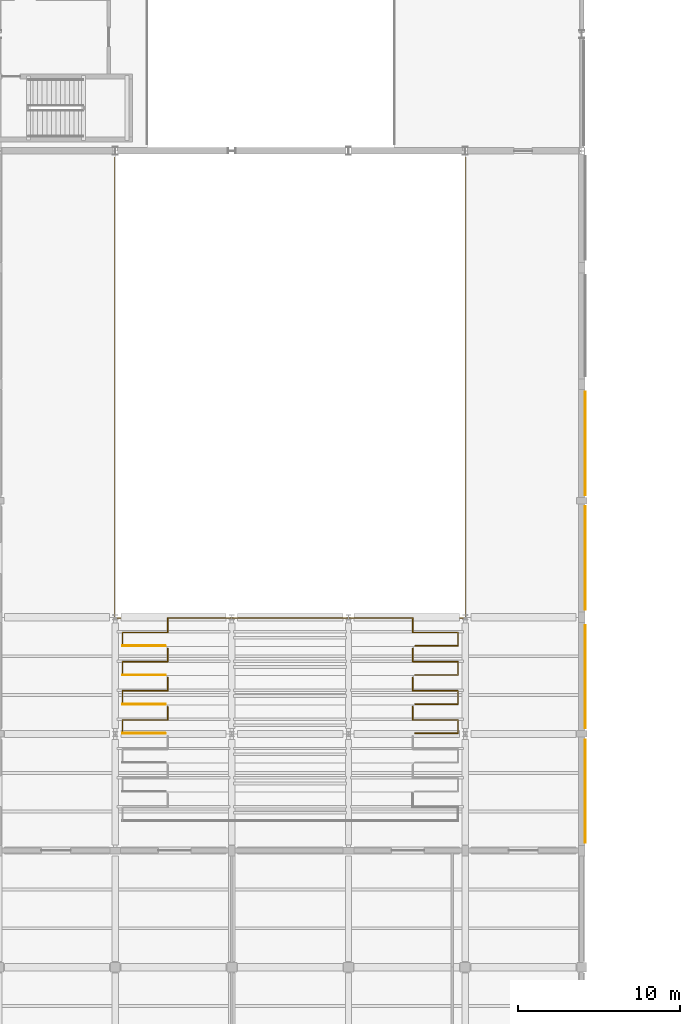
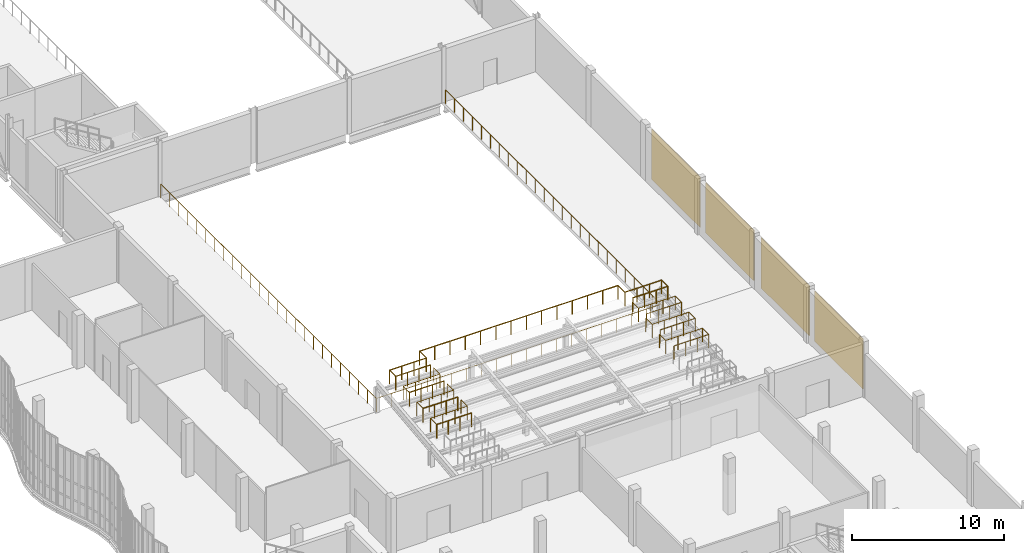
# One storey, part 100 of 105: 12 railings, 4 coverings.
"""IFC4 building model written with IfcOpenShell, lengths in metres."""

from ifc_helpers import new_model, si_unit, direction, frame, origin, origin_2d, place, context, subcontext, project, spatial, rectangle, circle, extrude, material, layer, layer_set, type_object, element, save


model = new_model("IFC4")

# Units and contexts
model_context = context("Model", 3, precision=1e-05, world=origin(), true_north=direction((0.0, 1.0)))
body_context = subcontext(model_context, "Body", "Model", "MODEL_VIEW")
ifc_project = project(units=[si_unit("LENGTHUNIT", "METRE"), si_unit("AREAUNIT", "SQUARE_METRE"), si_unit("VOLUMEUNIT", "CUBIC_METRE"), si_unit("PLANEANGLEUNIT", "RADIAN"), si_unit("MASSUNIT", "GRAM", prefix="KILO"), si_unit("THERMODYNAMICTEMPERATUREUNIT", "KELVIN"), si_unit("POWERUNIT", "WATT")], contexts=[model_context])

# Site, building, storey
site_placement = place(None, origin())
site = spatial("IfcSite", under=ifc_project, at=site_placement, CompositionType="ELEMENT")
building_placement = place(site_placement, origin())
building = spatial("IfcBuilding", under=site, at=building_placement, Name="Kaldorven Railside Theatre", CompositionType="ELEMENT")
storey_placement = place(building_placement, frame((0.0, 0.0, 9.89990234375)))
storey = spatial("IfcBuildingStorey", under=building, at=storey_placement, Name="L02", CompositionType="ELEMENT", Elevation=9.89990234375)

# Coverings
ifc_material_1 = material(Name="Bush-hammered precast concrete C40/50", Category="concrete")
ifc_layer = layer(ifc_material_1, 0.050048828125, Name="Bush-hammered precast concrete C40/50")
ifc_layer_set = layer_set([ifc_layer], Name="Bush-hammered precast concrete C40/50")
covering_type = type_object("IfcCoveringType", Name="COV-CLD-01", PredefinedType="CLADDING", material=ifc_layer_set)
for number, where, z_axis, x_axis, name in (
    (1, (123.410888671875, 65.9375, 0.10009765625), (0.0, 0.0, 1.0), (0.0, -1.0, 0.0), "Bush-Hammered Laterite Rainscreen Panel CLD-015"),
    (2, (123.410888671875, 58.862548828125, 0.10009765625), (0.0, 0.0, 1.0), (0.0, -1.0, 0.0), "Bush-Hammered Laterite Rainscreen Panel CLD-016"),
    (3, (123.410888671875, 51.53759765625, 0.10009765625), (0.0, 0.0, 1.0), (0.0, -1.0, 0.0), "Bush-Hammered Laterite Rainscreen Panel CLD-017"),
    (4, (123.410888671875, 44.46240234375, 0.10009765625), (0.0, 0.0, 1.0), (0.0, -1.0, 0.0), "Bush-Hammered Laterite Rainscreen Panel CLD-018"),
):
    element("IfcCovering", number, at=place(storey_placement, frame(where, z_axis=z_axis, x_axis=x_axis)), inside=storey, type_object=covering_type, Name=name, PredefinedType="CLADDING", context=body_context, shape_type="SweptSolid", body=[
        extrude(rectangle(XDim=6.375, YDim=0.050048828125, at=origin_2d()), origin(), (0.0, 0.0, 1.0), 4.050048828125),
    ])

# Railings
ifc_material_2 = material(Name="Anodised bronze aluminium", Category="aluminium")
railing_type = type_object("IfcRailingType", Name="RLG-BAL-1100", PredefinedType="BALUSTRADE", material=ifc_material_2)
railing_1_placement = place(storey_placement, frame((94.360107421875, 83.59521484375, 0.0)))
element("IfcRailing", 5, at=railing_1_placement, inside=storey, type_object=railing_type, Name="L02 Safety Balustrade GR-098", PredefinedType="BALUSTRADE", context=body_context, shape_type="SweptSolid", body=[
    extrude(circle(Radius=0.02392578125, at=origin_2d()), frame((0.0, 0.0, 1.09619140625), z_axis=(0.0, -1.0, 0.0), x_axis=(1.0, 0.0, 0.0)), (0.0, 0.0, 1.0), 28.435302734375),
    extrude(circle(Radius=0.02392578125, at=origin_2d()), frame((0.0, -28.435302734375, 1.09619140625), z_axis=(1.0, 0.0, 0.0), x_axis=(0.0, 1.0, 0.0)), (0.0, 0.0, 1.0), 21.679931640625),
    extrude(circle(Radius=0.02392578125, at=origin_2d()), frame((21.679931640625, -28.435302734375, 1.09619140625), z_axis=(0.0, 1.0, 0.0), x_axis=(-1.0, 0.0, 0.0)), (0.0, 0.0, 1.0), 28.435302734375),
    extrude(circle(Radius=0.02099609375, at=origin_2d()), origin(), (0.0, 0.0, 1.0), 1.072021484375),
    extrude(circle(Radius=0.02099609375, at=origin_2d()), frame((0.0, -1.184814453125, 0.0)), (0.0, 0.0, 1.0), 1.072021484375),
    extrude(circle(Radius=0.02099609375, at=origin_2d()), frame((0.0, -2.36962890625, 0.0)), (0.0, 0.0, 1.0), 1.072021484375),
    extrude(circle(Radius=0.02099609375, at=origin_2d()), frame((0.0, -3.554443359375, 0.0)), (0.0, 0.0, 1.0), 1.072021484375),
    extrude(circle(Radius=0.02099609375, at=origin_2d()), frame((0.0, -4.7392578125, 0.0)), (0.0, 0.0, 1.0), 1.072021484375),
    extrude(circle(Radius=0.02099609375, at=origin_2d()), frame((0.0, -5.924072265625, 0.0)), (0.0, 0.0, 1.0), 1.072021484375),
    extrude(circle(Radius=0.02099609375, at=origin_2d()), frame((0.0, -7.10888671875, 0.0)), (0.0, 0.0, 1.0), 1.072021484375),
    extrude(circle(Radius=0.02099609375, at=origin_2d()), frame((0.0, -8.293701171875, 0.0)), (0.0, 0.0, 1.0), 1.072021484375),
    extrude(circle(Radius=0.02099609375, at=origin_2d()), frame((0.0, -9.478515625, 0.0)), (0.0, 0.0, 1.0), 1.072021484375),
    extrude(circle(Radius=0.02099609375, at=origin_2d()), frame((0.0, -10.663330078125, 0.0)), (0.0, 0.0, 1.0), 1.072021484375),
    extrude(circle(Radius=0.02099609375, at=origin_2d()), frame((0.0, -11.84814453125, 0.0)), (0.0, 0.0, 1.0), 1.072021484375),
    extrude(circle(Radius=0.02099609375, at=origin_2d()), frame((0.0, -13.032958984375, 0.0)), (0.0, 0.0, 1.0), 1.072021484375),
    extrude(circle(Radius=0.02099609375, at=origin_2d()), frame((0.0, -14.2177734375, 0.0)), (0.0, 0.0, 1.0), 1.072021484375),
    extrude(circle(Radius=0.02099609375, at=origin_2d()), frame((0.0, -15.40234375, 0.0)), (0.0, 0.0, 1.0), 1.072021484375),
    extrude(circle(Radius=0.02099609375, at=origin_2d()), frame((0.0, -16.587158203125, 0.0)), (0.0, 0.0, 1.0), 1.072021484375),
    extrude(circle(Radius=0.02099609375, at=origin_2d()), frame((0.0, -17.77197265625, 0.0)), (0.0, 0.0, 1.0), 1.072021484375),
    extrude(circle(Radius=0.02099609375, at=origin_2d()), frame((0.0, -18.956787109375, 0.0)), (0.0, 0.0, 1.0), 1.072021484375),
    extrude(circle(Radius=0.02099609375, at=origin_2d()), frame((0.0, -20.1416015625, 0.0)), (0.0, 0.0, 1.0), 1.072021484375),
    extrude(circle(Radius=0.02099609375, at=origin_2d()), frame((0.0, -21.326416015625, 0.0)), (0.0, 0.0, 1.0), 1.072021484375),
    extrude(circle(Radius=0.02099609375, at=origin_2d()), frame((0.0, -22.51123046875, 0.0)), (0.0, 0.0, 1.0), 1.072021484375),
    extrude(circle(Radius=0.02099609375, at=origin_2d()), frame((0.0, -23.696044921875, 0.0)), (0.0, 0.0, 1.0), 1.072021484375),
    extrude(circle(Radius=0.02099609375, at=origin_2d()), frame((0.0, -24.880859375, 0.0)), (0.0, 0.0, 1.0), 1.072021484375),
    extrude(circle(Radius=0.02099609375, at=origin_2d()), frame((0.0, -26.065673828125, 0.0)), (0.0, 0.0, 1.0), 1.072021484375),
    extrude(circle(Radius=0.02099609375, at=origin_2d()), frame((0.0, -27.25048828125, 0.0)), (0.0, 0.0, 1.0), 1.072021484375),
    extrude(circle(Radius=0.02099609375, at=origin_2d()), frame((0.0, -28.435302734375, 0.0)), (0.0, 0.0, 1.0), 1.072021484375),
    extrude(circle(Radius=0.02099609375, at=origin_2d()), frame((1.14111328125, -28.435302734375, 0.0)), (0.0, 0.0, 1.0), 1.072021484375),
    extrude(circle(Radius=0.02099609375, at=origin_2d()), frame((2.281982421875, -28.435302734375, 0.0)), (0.0, 0.0, 1.0), 1.072021484375),
    extrude(circle(Radius=0.02099609375, at=origin_2d()), frame((3.423095703125, -28.435302734375, 0.0)), (0.0, 0.0, 1.0), 1.072021484375),
    extrude(circle(Radius=0.02099609375, at=origin_2d()), frame((4.564208984375, -28.435302734375, 0.0)), (0.0, 0.0, 1.0), 1.072021484375),
    extrude(circle(Radius=0.02099609375, at=origin_2d()), frame((5.705322265625, -28.435302734375, 0.0)), (0.0, 0.0, 1.0), 1.072021484375),
    extrude(circle(Radius=0.02099609375, at=origin_2d()), frame((6.84619140625, -28.435302734375, 0.0)), (0.0, 0.0, 1.0), 1.072021484375),
    extrude(circle(Radius=0.02099609375, at=origin_2d()), frame((7.9873046875, -28.435302734375, 0.0)), (0.0, 0.0, 1.0), 1.072021484375),
    extrude(circle(Radius=0.02099609375, at=origin_2d()), frame((9.12841796875, -28.435302734375, 0.0)), (0.0, 0.0, 1.0), 1.072021484375),
    extrude(circle(Radius=0.02099609375, at=origin_2d()), frame((10.26953125, -28.435302734375, 0.0)), (0.0, 0.0, 1.0), 1.072021484375),
    extrude(circle(Radius=0.02099609375, at=origin_2d()), frame((11.410400390625, -28.435302734375, 0.0)), (0.0, 0.0, 1.0), 1.072021484375),
    extrude(circle(Radius=0.02099609375, at=origin_2d()), frame((12.551513671875, -28.435302734375, 0.0)), (0.0, 0.0, 1.0), 1.072021484375),
    extrude(circle(Radius=0.02099609375, at=origin_2d()), frame((13.692626953125, -28.435302734375, 0.0)), (0.0, 0.0, 1.0), 1.072021484375),
    extrude(circle(Radius=0.02099609375, at=origin_2d()), frame((14.833740234375, -28.435302734375, 0.0)), (0.0, 0.0, 1.0), 1.072021484375),
    extrude(circle(Radius=0.02099609375, at=origin_2d()), frame((15.974609375, -28.435302734375, 0.0)), (0.0, 0.0, 1.0), 1.072021484375),
    extrude(circle(Radius=0.02099609375, at=origin_2d()), frame((17.11572265625, -28.435302734375, 0.0)), (0.0, 0.0, 1.0), 1.072021484375),
    extrude(circle(Radius=0.02099609375, at=origin_2d()), frame((18.2568359375, -28.435302734375, 0.0)), (0.0, 0.0, 1.0), 1.072021484375),
    extrude(circle(Radius=0.02099609375, at=origin_2d()), frame((19.39794921875, -28.435302734375, 0.0)), (0.0, 0.0, 1.0), 1.072021484375),
    extrude(circle(Radius=0.02099609375, at=origin_2d()), frame((20.538818359375, -28.435302734375, 0.0)), (0.0, 0.0, 1.0), 1.072021484375),
    extrude(circle(Radius=0.02099609375, at=origin_2d()), frame((21.679931640625, -28.435302734375, 0.0)), (0.0, 0.0, 1.0), 1.072021484375),
    extrude(circle(Radius=0.02099609375, at=origin_2d()), frame((21.679931640625, -27.25048828125, 0.0)), (0.0, 0.0, 1.0), 1.072021484375),
    extrude(circle(Radius=0.02099609375, at=origin_2d()), frame((21.679931640625, -26.065673828125, 0.0)), (0.0, 0.0, 1.0), 1.072021484375),
    extrude(circle(Radius=0.02099609375, at=origin_2d()), frame((21.679931640625, -24.880859375, 0.0)), (0.0, 0.0, 1.0), 1.072021484375),
    extrude(circle(Radius=0.02099609375, at=origin_2d()), frame((21.679931640625, -23.696044921875, 0.0)), (0.0, 0.0, 1.0), 1.072021484375),
    extrude(circle(Radius=0.02099609375, at=origin_2d()), frame((21.679931640625, -22.51123046875, 0.0)), (0.0, 0.0, 1.0), 1.072021484375),
    extrude(circle(Radius=0.02099609375, at=origin_2d()), frame((21.679931640625, -21.326416015625, 0.0)), (0.0, 0.0, 1.0), 1.072021484375),
    extrude(circle(Radius=0.02099609375, at=origin_2d()), frame((21.679931640625, -20.1416015625, 0.0)), (0.0, 0.0, 1.0), 1.072021484375),
    extrude(circle(Radius=0.02099609375, at=origin_2d()), frame((21.679931640625, -18.956787109375, 0.0)), (0.0, 0.0, 1.0), 1.072021484375),
    extrude(circle(Radius=0.02099609375, at=origin_2d()), frame((21.679931640625, -17.77197265625, 0.0)), (0.0, 0.0, 1.0), 1.072021484375),
    extrude(circle(Radius=0.02099609375, at=origin_2d()), frame((21.679931640625, -16.587158203125, 0.0)), (0.0, 0.0, 1.0), 1.072021484375),
    extrude(circle(Radius=0.02099609375, at=origin_2d()), frame((21.679931640625, -15.40234375, 0.0)), (0.0, 0.0, 1.0), 1.072021484375),
    extrude(circle(Radius=0.02099609375, at=origin_2d()), frame((21.679931640625, -14.2177734375, 0.0)), (0.0, 0.0, 1.0), 1.072021484375),
    extrude(circle(Radius=0.02099609375, at=origin_2d()), frame((21.679931640625, -13.032958984375, 0.0)), (0.0, 0.0, 1.0), 1.072021484375),
    extrude(circle(Radius=0.02099609375, at=origin_2d()), frame((21.679931640625, -11.84814453125, 0.0)), (0.0, 0.0, 1.0), 1.072021484375),
    extrude(circle(Radius=0.02099609375, at=origin_2d()), frame((21.679931640625, -10.663330078125, 0.0)), (0.0, 0.0, 1.0), 1.072021484375),
    extrude(circle(Radius=0.02099609375, at=origin_2d()), frame((21.679931640625, -9.478515625, 0.0)), (0.0, 0.0, 1.0), 1.072021484375),
    extrude(circle(Radius=0.02099609375, at=origin_2d()), frame((21.679931640625, -8.293701171875, 0.0)), (0.0, 0.0, 1.0), 1.072021484375),
    extrude(circle(Radius=0.02099609375, at=origin_2d()), frame((21.679931640625, -7.10888671875, 0.0)), (0.0, 0.0, 1.0), 1.072021484375),
    extrude(circle(Radius=0.02099609375, at=origin_2d()), frame((21.679931640625, -5.924072265625, 0.0)), (0.0, 0.0, 1.0), 1.072021484375),
    extrude(circle(Radius=0.02099609375, at=origin_2d()), frame((21.679931640625, -4.7392578125, 0.0)), (0.0, 0.0, 1.0), 1.072021484375),
    extrude(circle(Radius=0.02099609375, at=origin_2d()), frame((21.679931640625, -3.554443359375, 0.0)), (0.0, 0.0, 1.0), 1.072021484375),
    extrude(circle(Radius=0.02099609375, at=origin_2d()), frame((21.679931640625, -2.36962890625, 0.0)), (0.0, 0.0, 1.0), 1.072021484375),
    extrude(circle(Radius=0.02099609375, at=origin_2d()), frame((21.679931640625, -1.184814453125, 0.0)), (0.0, 0.0, 1.0), 1.072021484375),
    extrude(circle(Radius=0.02099609375, at=origin_2d()), frame((21.679931640625, 0.0, 0.0)), (0.0, 0.0, 1.0), 1.072021484375),
])
railing_2_placement = place(storey_placement, frame((94.840087890625, 48.0400390625, 2.050048828125)))
element("IfcRailing", 6, at=railing_2_placement, inside=storey, type_object=railing_type, Name="L02 Auditorium Tier Safety Guard GR-111", PredefinedType="BALUSTRADE", context=body_context, shape_type="SweptSolid", body=[
    extrude(circle(Radius=0.02392578125, at=origin_2d()), frame((0.0, 0.0, 1.09619140625), z_axis=(0.0, 1.0, 0.0), x_axis=(-1.0, 0.0, 0.0)), (0.0, 0.0, 1.0), 0.820068359375),
    extrude(circle(Radius=0.02392578125, at=origin_2d()), frame((0.0, 0.820068359375, 1.09619140625), z_axis=(1.0, 0.0, 0.0), x_axis=(0.0, 1.0, 0.0)), (0.0, 0.0, 1.0), 2.7998046875),
    extrude(circle(Radius=0.02392578125, at=origin_2d()), frame((2.7998046875, 0.820068359375, 1.09619140625), z_axis=(0.0, 1.0, 0.0), x_axis=(-1.0, 0.0, 0.0)), (0.0, 0.0, 1.0), 0.81982421875),
    extrude(circle(Radius=0.02099609375, at=origin_2d()), origin(), (0.0, 0.0, 1.0), 1.072021484375),
    extrude(circle(Radius=0.02099609375, at=origin_2d()), frame((0.0, 0.820068359375, 0.0)), (0.0, 0.0, 1.0), 1.072021484375),
    extrude(circle(Radius=0.02099609375, at=origin_2d()), frame((0.933349609375, 0.820068359375, 0.0)), (0.0, 0.0, 1.0), 1.072021484375),
    extrude(circle(Radius=0.02099609375, at=origin_2d()), frame((1.866455078125, 0.820068359375, 0.0)), (0.0, 0.0, 1.0), 1.072021484375),
    extrude(circle(Radius=0.02099609375, at=origin_2d()), frame((2.7998046875, 0.820068359375, 0.0)), (0.0, 0.0, 1.0), 1.072021484375),
    extrude(circle(Radius=0.02099609375, at=origin_2d()), frame((2.7998046875, 1.639892578125, 0.0)), (0.0, 0.0, 1.0), 1.072021484375),
])
railing_3_placement = place(storey_placement, frame((112.760009765625, 49.679931640625, 2.050048828125)))
element("IfcRailing", 7, at=railing_3_placement, inside=storey, type_object=railing_type, Name="L02 Auditorium Tier Safety Guard GR-112", PredefinedType="BALUSTRADE", context=body_context, shape_type="SweptSolid", body=[
    extrude(circle(Radius=0.02392578125, at=origin_2d()), frame((0.0, 0.0, 1.09619140625), z_axis=(0.0, -1.0, 0.0), x_axis=(1.0, 0.0, 0.0)), (0.0, 0.0, 1.0), 0.81982421875),
    extrude(circle(Radius=0.02392578125, at=origin_2d()), frame((0.0, -0.81982421875, 1.09619140625), z_axis=(1.0, 0.0, 0.0), x_axis=(0.0, 1.0, 0.0)), (0.0, 0.0, 1.0), 2.800048828125),
    extrude(circle(Radius=0.02392578125, at=origin_2d()), frame((2.800048828125, -0.81982421875, 1.09619140625), z_axis=(0.0, -1.0, 0.0), x_axis=(1.0, 0.0, 0.0)), (0.0, 0.0, 1.0), 0.820068359375),
    extrude(circle(Radius=0.02392578125, at=origin_2d()), frame((2.800048828125, -1.639892578125, 1.09619140625), z_axis=(-1.0, 0.0, 0.0), x_axis=(0.0, -1.0, 0.0)), (0.0, 0.0, 1.0), 2.64697265625),
    extrude(circle(Radius=0.02099609375, at=origin_2d()), origin(), (0.0, 0.0, 1.0), 1.072021484375),
    extrude(circle(Radius=0.02099609375, at=origin_2d()), frame((0.0, -0.81982421875, 0.0)), (0.0, 0.0, 1.0), 1.072021484375),
    extrude(circle(Radius=0.02099609375, at=origin_2d()), frame((0.933349609375, -0.81982421875, 0.0)), (0.0, 0.0, 1.0), 1.072021484375),
    extrude(circle(Radius=0.02099609375, at=origin_2d()), frame((1.86669921875, -0.81982421875, 0.0)), (0.0, 0.0, 1.0), 1.072021484375),
    extrude(circle(Radius=0.02099609375, at=origin_2d()), frame((2.800048828125, -0.81982421875, 0.0)), (0.0, 0.0, 1.0), 1.072021484375),
    extrude(circle(Radius=0.02099609375, at=origin_2d()), frame((2.800048828125, -1.639892578125, 0.0)), (0.0, 0.0, 1.0), 1.072021484375),
    extrude(circle(Radius=0.02099609375, at=origin_2d()), frame((1.917724609375, -1.639892578125, 0.0)), (0.0, 0.0, 1.0), 1.072021484375),
    extrude(circle(Radius=0.02099609375, at=origin_2d()), frame((1.035400390625, -1.639892578125, 0.0)), (0.0, 0.0, 1.0), 1.072021484375),
    extrude(circle(Radius=0.02099609375, at=origin_2d()), frame((0.153076171875, -1.639892578125, 0.0)), (0.0, 0.0, 1.0), 1.072021484375),
])
railing_4_placement = place(storey_placement, frame((97.487060546875, 48.0400390625, 2.050048828125)))
element("IfcRailing", 8, at=railing_4_placement, inside=storey, type_object=railing_type, Name="L02 Auditorium Tier Safety Guard GR-113", PredefinedType="BALUSTRADE", context=body_context, shape_type="SweptSolid", body=[
    extrude(circle(Radius=0.02392578125, at=origin_2d()), frame((0.0, 0.0, 1.09619140625), z_axis=(-1.0, 0.0, 0.0), x_axis=(0.0, -1.0, 0.0)), (0.0, 0.0, 1.0), 2.64697265625),
    extrude(circle(Radius=0.02099609375, at=origin_2d()), origin(), (0.0, 0.0, 1.0), 1.072021484375),
    extrude(circle(Radius=0.02099609375, at=origin_2d()), frame((-0.88232421875, 0.0, 0.0)), (0.0, 0.0, 1.0), 1.072021484375),
    extrude(circle(Radius=0.02099609375, at=origin_2d()), frame((-1.7646484375, 0.0, 0.0)), (0.0, 0.0, 1.0), 1.072021484375),
    extrude(circle(Radius=0.02099609375, at=origin_2d()), frame((-2.64697265625, 0.0, 0.0)), (0.0, 0.0, 1.0), 1.072021484375),
])
railing_5_placement = place(storey_placement, frame((94.840087890625, 49.840087890625, 2.25)))
element("IfcRailing", 9, at=railing_5_placement, inside=storey, type_object=railing_type, Name="L02 Auditorium Tier Safety Guard GR-114", PredefinedType="BALUSTRADE", context=body_context, shape_type="SweptSolid", body=[
    extrude(circle(Radius=0.02392578125, at=origin_2d()), frame((0.0, 0.0, 1.09619140625), z_axis=(0.0, 1.0, 0.0), x_axis=(-1.0, 0.0, 0.0)), (0.0, 0.0, 1.0), 0.81982421875),
    extrude(circle(Radius=0.02392578125, at=origin_2d()), frame((0.0, 0.81982421875, 1.09619140625), z_axis=(1.0, 0.0, 0.0), x_axis=(0.0, 1.0, 0.0)), (0.0, 0.0, 1.0), 2.7998046875),
    extrude(circle(Radius=0.02392578125, at=origin_2d()), frame((2.7998046875, 0.81982421875, 1.09619140625), z_axis=(0.0, 1.0, 0.0), x_axis=(-1.0, 0.0, 0.0)), (0.0, 0.0, 1.0), 0.820068359375),
    extrude(circle(Radius=0.02099609375, at=origin_2d()), origin(), (0.0, 0.0, 1.0), 1.072021484375),
    extrude(circle(Radius=0.02099609375, at=origin_2d()), frame((0.0, 0.81982421875, 0.0)), (0.0, 0.0, 1.0), 1.072021484375),
    extrude(circle(Radius=0.02099609375, at=origin_2d()), frame((0.933349609375, 0.81982421875, 0.0)), (0.0, 0.0, 1.0), 1.072021484375),
    extrude(circle(Radius=0.02099609375, at=origin_2d()), frame((1.866455078125, 0.81982421875, 0.0)), (0.0, 0.0, 1.0), 1.072021484375),
    extrude(circle(Radius=0.02099609375, at=origin_2d()), frame((2.7998046875, 0.81982421875, 0.0)), (0.0, 0.0, 1.0), 1.072021484375),
    extrude(circle(Radius=0.02099609375, at=origin_2d()), frame((2.7998046875, 1.639892578125, 0.0)), (0.0, 0.0, 1.0), 1.072021484375),
])
railing_6_placement = place(storey_placement, frame((112.760009765625, 51.47998046875, 2.25)))
element("IfcRailing", 10, at=railing_6_placement, inside=storey, type_object=railing_type, Name="L02 Auditorium Tier Safety Guard GR-115", PredefinedType="BALUSTRADE", context=body_context, shape_type="SweptSolid", body=[
    extrude(circle(Radius=0.02392578125, at=origin_2d()), frame((0.0, 0.0, 1.09619140625), z_axis=(0.0, -1.0, 0.0), x_axis=(1.0, 0.0, 0.0)), (0.0, 0.0, 1.0), 0.820068359375),
    extrude(circle(Radius=0.02392578125, at=origin_2d()), frame((0.0, -0.820068359375, 1.09619140625), z_axis=(1.0, 0.0, 0.0), x_axis=(0.0, 1.0, 0.0)), (0.0, 0.0, 1.0), 2.800048828125),
    extrude(circle(Radius=0.02392578125, at=origin_2d()), frame((2.800048828125, -0.820068359375, 1.09619140625), z_axis=(0.0, -1.0, 0.0), x_axis=(1.0, 0.0, 0.0)), (0.0, 0.0, 1.0), 0.81982421875),
    extrude(circle(Radius=0.02392578125, at=origin_2d()), frame((2.800048828125, -1.639892578125, 1.09619140625), z_axis=(-1.0, 0.0, 0.0), x_axis=(0.0, -1.0, 0.0)), (0.0, 0.0, 1.0), 2.64697265625),
    extrude(circle(Radius=0.02099609375, at=origin_2d()), origin(), (0.0, 0.0, 1.0), 1.072021484375),
    extrude(circle(Radius=0.02099609375, at=origin_2d()), frame((0.0, -0.820068359375, 0.0)), (0.0, 0.0, 1.0), 1.072021484375),
    extrude(circle(Radius=0.02099609375, at=origin_2d()), frame((0.933349609375, -0.820068359375, 0.0)), (0.0, 0.0, 1.0), 1.072021484375),
    extrude(circle(Radius=0.02099609375, at=origin_2d()), frame((1.86669921875, -0.820068359375, 0.0)), (0.0, 0.0, 1.0), 1.072021484375),
    extrude(circle(Radius=0.02099609375, at=origin_2d()), frame((2.800048828125, -0.820068359375, 0.0)), (0.0, 0.0, 1.0), 1.072021484375),
    extrude(circle(Radius=0.02099609375, at=origin_2d()), frame((2.800048828125, -1.639892578125, 0.0)), (0.0, 0.0, 1.0), 1.072021484375),
    extrude(circle(Radius=0.02099609375, at=origin_2d()), frame((1.917724609375, -1.639892578125, 0.0)), (0.0, 0.0, 1.0), 1.072021484375),
    extrude(circle(Radius=0.02099609375, at=origin_2d()), frame((1.035400390625, -1.639892578125, 0.0)), (0.0, 0.0, 1.0), 1.072021484375),
    extrude(circle(Radius=0.02099609375, at=origin_2d()), frame((0.153076171875, -1.639892578125, 0.0)), (0.0, 0.0, 1.0), 1.072021484375),
])
railing_7_placement = place(storey_placement, frame((97.487060546875, 49.840087890625, 2.25)))
element("IfcRailing", 11, at=railing_7_placement, inside=storey, type_object=railing_type, Name="L02 Auditorium Tier Safety Guard GR-116", PredefinedType="BALUSTRADE", context=body_context, shape_type="SweptSolid", body=[
    extrude(circle(Radius=0.02392578125, at=origin_2d()), frame((0.0, 0.0, 1.09619140625), z_axis=(-1.0, 0.0, 0.0), x_axis=(0.0, -1.0, 0.0)), (0.0, 0.0, 1.0), 2.64697265625),
    extrude(circle(Radius=0.02099609375, at=origin_2d()), origin(), (0.0, 0.0, 1.0), 1.072021484375),
    extrude(circle(Radius=0.02099609375, at=origin_2d()), frame((-0.88232421875, 0.0, 0.0)), (0.0, 0.0, 1.0), 1.072021484375),
    extrude(circle(Radius=0.02099609375, at=origin_2d()), frame((-1.7646484375, 0.0, 0.0)), (0.0, 0.0, 1.0), 1.072021484375),
    extrude(circle(Radius=0.02099609375, at=origin_2d()), frame((-2.64697265625, 0.0, 0.0)), (0.0, 0.0, 1.0), 1.072021484375),
])
railing_8_placement = place(storey_placement, frame((94.840087890625, 51.639892578125, 2.4501953125)))
element("IfcRailing", 12, at=railing_8_placement, inside=storey, type_object=railing_type, Name="L02 Auditorium Tier Safety Guard GR-117", PredefinedType="BALUSTRADE", context=body_context, shape_type="SweptSolid", body=[
    extrude(circle(Radius=0.02392578125, at=origin_2d()), frame((0.0, 0.0, 1.09619140625), z_axis=(0.0, 1.0, 0.0), x_axis=(-1.0, 0.0, 0.0)), (0.0, 0.0, 1.0), 0.820068359375),
    extrude(circle(Radius=0.02392578125, at=origin_2d()), frame((0.0, 0.820068359375, 1.09619140625), z_axis=(1.0, 0.0, 0.0), x_axis=(0.0, 1.0, 0.0)), (0.0, 0.0, 1.0), 2.7998046875),
    extrude(circle(Radius=0.02392578125, at=origin_2d()), frame((2.7998046875, 0.820068359375, 1.09619140625), z_axis=(0.0, 1.0, 0.0), x_axis=(-1.0, 0.0, 0.0)), (0.0, 0.0, 1.0), 0.820068359375),
    extrude(circle(Radius=0.02099609375, at=origin_2d()), origin(), (0.0, 0.0, 1.0), 1.072021484375),
    extrude(circle(Radius=0.02099609375, at=origin_2d()), frame((0.0, 0.820068359375, 0.0)), (0.0, 0.0, 1.0), 1.072021484375),
    extrude(circle(Radius=0.02099609375, at=origin_2d()), frame((0.933349609375, 0.820068359375, 0.0)), (0.0, 0.0, 1.0), 1.072021484375),
    extrude(circle(Radius=0.02099609375, at=origin_2d()), frame((1.866455078125, 0.820068359375, 0.0)), (0.0, 0.0, 1.0), 1.072021484375),
    extrude(circle(Radius=0.02099609375, at=origin_2d()), frame((2.7998046875, 0.820068359375, 0.0)), (0.0, 0.0, 1.0), 1.072021484375),
    extrude(circle(Radius=0.02099609375, at=origin_2d()), frame((2.7998046875, 1.64013671875, 0.0)), (0.0, 0.0, 1.0), 1.072021484375),
])
railing_9_placement = place(storey_placement, frame((112.760009765625, 53.280029296875, 2.4501953125)))
element("IfcRailing", 13, at=railing_9_placement, inside=storey, type_object=railing_type, Name="L02 Auditorium Tier Safety Guard GR-118", PredefinedType="BALUSTRADE", context=body_context, shape_type="SweptSolid", body=[
    extrude(circle(Radius=0.02392578125, at=origin_2d()), frame((0.0, 0.0, 1.09619140625), z_axis=(0.0, -1.0, 0.0), x_axis=(1.0, 0.0, 0.0)), (0.0, 0.0, 1.0), 0.820068359375),
    extrude(circle(Radius=0.02392578125, at=origin_2d()), frame((0.0, -0.820068359375, 1.09619140625), z_axis=(1.0, 0.0, 0.0), x_axis=(0.0, 1.0, 0.0)), (0.0, 0.0, 1.0), 2.800048828125),
    extrude(circle(Radius=0.02392578125, at=origin_2d()), frame((2.800048828125, -0.820068359375, 1.09619140625), z_axis=(0.0, -1.0, 0.0), x_axis=(1.0, 0.0, 0.0)), (0.0, 0.0, 1.0), 0.820068359375),
    extrude(circle(Radius=0.02392578125, at=origin_2d()), frame((2.800048828125, -1.64013671875, 1.09619140625), z_axis=(-1.0, 0.0, 0.0), x_axis=(0.0, -1.0, 0.0)), (0.0, 0.0, 1.0), 2.64697265625),
    extrude(circle(Radius=0.02099609375, at=origin_2d()), origin(), (0.0, 0.0, 1.0), 1.072021484375),
    extrude(circle(Radius=0.02099609375, at=origin_2d()), frame((0.0, -0.820068359375, 0.0)), (0.0, 0.0, 1.0), 1.072021484375),
    extrude(circle(Radius=0.02099609375, at=origin_2d()), frame((0.933349609375, -0.820068359375, 0.0)), (0.0, 0.0, 1.0), 1.072021484375),
    extrude(circle(Radius=0.02099609375, at=origin_2d()), frame((1.86669921875, -0.820068359375, 0.0)), (0.0, 0.0, 1.0), 1.072021484375),
    extrude(circle(Radius=0.02099609375, at=origin_2d()), frame((2.800048828125, -0.820068359375, 0.0)), (0.0, 0.0, 1.0), 1.072021484375),
    extrude(circle(Radius=0.02099609375, at=origin_2d()), frame((2.800048828125, -1.64013671875, 0.0)), (0.0, 0.0, 1.0), 1.072021484375),
    extrude(circle(Radius=0.02099609375, at=origin_2d()), frame((1.917724609375, -1.64013671875, 0.0)), (0.0, 0.0, 1.0), 1.072021484375),
    extrude(circle(Radius=0.02099609375, at=origin_2d()), frame((1.035400390625, -1.64013671875, 0.0)), (0.0, 0.0, 1.0), 1.072021484375),
    extrude(circle(Radius=0.02099609375, at=origin_2d()), frame((0.153076171875, -1.64013671875, 0.0)), (0.0, 0.0, 1.0), 1.072021484375),
])
railing_10_placement = place(storey_placement, frame((97.487060546875, 51.639892578125, 2.4501953125)))
element("IfcRailing", 14, at=railing_10_placement, inside=storey, type_object=railing_type, Name="L02 Auditorium Tier Safety Guard GR-119", PredefinedType="BALUSTRADE", context=body_context, shape_type="SweptSolid", body=[
    extrude(circle(Radius=0.02392578125, at=origin_2d()), frame((0.0, 0.0, 1.09619140625), z_axis=(-1.0, 0.0, 0.0), x_axis=(0.0, -1.0, 0.0)), (0.0, 0.0, 1.0), 2.64697265625),
    extrude(circle(Radius=0.02099609375, at=origin_2d()), origin(), (0.0, 0.0, 1.0), 1.072021484375),
    extrude(circle(Radius=0.02099609375, at=origin_2d()), frame((-0.88232421875, 0.0, 0.0)), (0.0, 0.0, 1.0), 1.072021484375),
    extrude(circle(Radius=0.02099609375, at=origin_2d()), frame((-1.7646484375, 0.0, 0.0)), (0.0, 0.0, 1.0), 1.072021484375),
    extrude(circle(Radius=0.02099609375, at=origin_2d()), frame((-2.64697265625, 0.0, 0.0)), (0.0, 0.0, 1.0), 1.072021484375),
])
railing_11_placement = place(storey_placement, frame((94.840087890625, 53.43994140625, 2.650146484375)))
element("IfcRailing", 15, at=railing_11_placement, inside=storey, type_object=railing_type, Name="L02 Auditorium Tier Safety Guard GR-120", PredefinedType="BALUSTRADE", context=body_context, shape_type="SweptSolid", body=[
    extrude(circle(Radius=0.02392578125, at=origin_2d()), frame((0.0, 0.0, 1.09619140625), z_axis=(0.0, 1.0, 0.0), x_axis=(-1.0, 0.0, 0.0)), (0.0, 0.0, 1.0), 0.820068359375),
    extrude(circle(Radius=0.02392578125, at=origin_2d()), frame((0.0, 0.820068359375, 1.09619140625), z_axis=(1.0, 0.0, 0.0), x_axis=(0.0, 1.0, 0.0)), (0.0, 0.0, 1.0), 2.7998046875),
    extrude(circle(Radius=0.02392578125, at=origin_2d()), frame((2.7998046875, 0.820068359375, 1.09619140625), z_axis=(0.0, 1.0, 0.0), x_axis=(-1.0, 0.0, 0.0)), (0.0, 0.0, 1.0), 0.89990234375),
    extrude(circle(Radius=0.02392578125, at=origin_2d()), frame((2.7998046875, 1.719970703125, 1.09619140625), z_axis=(1.0, 0.0, 0.0), x_axis=(0.0, 1.0, 0.0)), (0.0, 0.0, 1.0), 15.1201171875),
    extrude(circle(Radius=0.02392578125, at=origin_2d()), frame((17.919921875, 1.719970703125, 1.09619140625), z_axis=(0.0, -1.0, 0.0), x_axis=(1.0, 0.0, 0.0)), (0.0, 0.0, 1.0), 0.89990234375),
    extrude(circle(Radius=0.02392578125, at=origin_2d()), frame((17.919921875, 0.820068359375, 1.09619140625), z_axis=(1.0, 0.0, 0.0), x_axis=(0.0, 1.0, 0.0)), (0.0, 0.0, 1.0), 2.800048828125),
    extrude(circle(Radius=0.02392578125, at=origin_2d()), frame((20.719970703125, 0.820068359375, 1.09619140625), z_axis=(0.0, -1.0, 0.0), x_axis=(1.0, 0.0, 0.0)), (0.0, 0.0, 1.0), 0.820068359375),
    extrude(circle(Radius=0.02392578125, at=origin_2d()), frame((20.719970703125, 0.0, 1.09619140625), z_axis=(-1.0, 0.0, 0.0), x_axis=(0.0, -1.0, 0.0)), (0.0, 0.0, 1.0), 2.64697265625),
    extrude(circle(Radius=0.02099609375, at=origin_2d()), origin(), (0.0, 0.0, 1.0), 1.072021484375),
    extrude(circle(Radius=0.02099609375, at=origin_2d()), frame((0.0, 0.820068359375, 0.0)), (0.0, 0.0, 1.0), 1.072021484375),
    extrude(circle(Radius=0.02099609375, at=origin_2d()), frame((0.933349609375, 0.820068359375, 0.0)), (0.0, 0.0, 1.0), 1.072021484375),
    extrude(circle(Radius=0.02099609375, at=origin_2d()), frame((1.866455078125, 0.820068359375, 0.0)), (0.0, 0.0, 1.0), 1.072021484375),
    extrude(circle(Radius=0.02099609375, at=origin_2d()), frame((2.7998046875, 0.820068359375, 0.0)), (0.0, 0.0, 1.0), 1.072021484375),
    extrude(circle(Radius=0.02099609375, at=origin_2d()), frame((2.7998046875, 1.719970703125, 0.0)), (0.0, 0.0, 1.0), 1.072021484375),
    extrude(circle(Radius=0.02099609375, at=origin_2d()), frame((3.962890625, 1.719970703125, 0.0)), (0.0, 0.0, 1.0), 1.072021484375),
    extrude(circle(Radius=0.02099609375, at=origin_2d()), frame((5.1259765625, 1.719970703125, 0.0)), (0.0, 0.0, 1.0), 1.072021484375),
    extrude(circle(Radius=0.02099609375, at=origin_2d()), frame((6.2890625, 1.719970703125, 0.0)), (0.0, 0.0, 1.0), 1.072021484375),
    extrude(circle(Radius=0.02099609375, at=origin_2d()), frame((7.4521484375, 1.719970703125, 0.0)), (0.0, 0.0, 1.0), 1.072021484375),
    extrude(circle(Radius=0.02099609375, at=origin_2d()), frame((8.615234375, 1.719970703125, 0.0)), (0.0, 0.0, 1.0), 1.072021484375),
    extrude(circle(Radius=0.02099609375, at=origin_2d()), frame((9.7783203125, 1.719970703125, 0.0)), (0.0, 0.0, 1.0), 1.072021484375),
    extrude(circle(Radius=0.02099609375, at=origin_2d()), frame((10.94140625, 1.719970703125, 0.0)), (0.0, 0.0, 1.0), 1.072021484375),
    extrude(circle(Radius=0.02099609375, at=origin_2d()), frame((12.1044921875, 1.719970703125, 0.0)), (0.0, 0.0, 1.0), 1.072021484375),
    extrude(circle(Radius=0.02099609375, at=origin_2d()), frame((13.267578125, 1.719970703125, 0.0)), (0.0, 0.0, 1.0), 1.072021484375),
    extrude(circle(Radius=0.02099609375, at=origin_2d()), frame((14.4306640625, 1.719970703125, 0.0)), (0.0, 0.0, 1.0), 1.072021484375),
    extrude(circle(Radius=0.02099609375, at=origin_2d()), frame((15.59375, 1.719970703125, 0.0)), (0.0, 0.0, 1.0), 1.072021484375),
    extrude(circle(Radius=0.02099609375, at=origin_2d()), frame((16.7568359375, 1.719970703125, 0.0)), (0.0, 0.0, 1.0), 1.072021484375),
    extrude(circle(Radius=0.02099609375, at=origin_2d()), frame((17.919921875, 1.719970703125, 0.0)), (0.0, 0.0, 1.0), 1.072021484375),
    extrude(circle(Radius=0.02099609375, at=origin_2d()), frame((17.919921875, 0.820068359375, 0.0)), (0.0, 0.0, 1.0), 1.072021484375),
    extrude(circle(Radius=0.02099609375, at=origin_2d()), frame((18.853271484375, 0.820068359375, 0.0)), (0.0, 0.0, 1.0), 1.072021484375),
    extrude(circle(Radius=0.02099609375, at=origin_2d()), frame((19.78662109375, 0.820068359375, 0.0)), (0.0, 0.0, 1.0), 1.072021484375),
    extrude(circle(Radius=0.02099609375, at=origin_2d()), frame((20.719970703125, 0.820068359375, 0.0)), (0.0, 0.0, 1.0), 1.072021484375),
    extrude(circle(Radius=0.02099609375, at=origin_2d()), frame((20.719970703125, 0.0, 0.0)), (0.0, 0.0, 1.0), 1.072021484375),
    extrude(circle(Radius=0.02099609375, at=origin_2d()), frame((19.837646484375, 0.0, 0.0)), (0.0, 0.0, 1.0), 1.072021484375),
    extrude(circle(Radius=0.02099609375, at=origin_2d()), frame((18.955322265625, 0.0, 0.0)), (0.0, 0.0, 1.0), 1.072021484375),
    extrude(circle(Radius=0.02099609375, at=origin_2d()), frame((18.072998046875, 0.0, 0.0)), (0.0, 0.0, 1.0), 1.072021484375),
])
railing_12_placement = place(storey_placement, frame((97.487060546875, 53.43994140625, 2.650146484375)))
element("IfcRailing", 16, at=railing_12_placement, inside=storey, type_object=railing_type, Name="L02 Auditorium Tier Safety Guard GR-121", PredefinedType="BALUSTRADE", context=body_context, shape_type="SweptSolid", body=[
    extrude(circle(Radius=0.02392578125, at=origin_2d()), frame((0.0, 0.0, 1.09619140625), z_axis=(-1.0, 0.0, 0.0), x_axis=(0.0, -1.0, 0.0)), (0.0, 0.0, 1.0), 2.64697265625),
    extrude(circle(Radius=0.02099609375, at=origin_2d()), origin(), (0.0, 0.0, 1.0), 1.072021484375),
    extrude(circle(Radius=0.02099609375, at=origin_2d()), frame((-0.88232421875, 0.0, 0.0)), (0.0, 0.0, 1.0), 1.072021484375),
    extrude(circle(Radius=0.02099609375, at=origin_2d()), frame((-1.7646484375, 0.0, 0.0)), (0.0, 0.0, 1.0), 1.072021484375),
    extrude(circle(Radius=0.02099609375, at=origin_2d()), frame((-2.64697265625, 0.0, 0.0)), (0.0, 0.0, 1.0), 1.072021484375),
])

save(model, "model.ifc")
